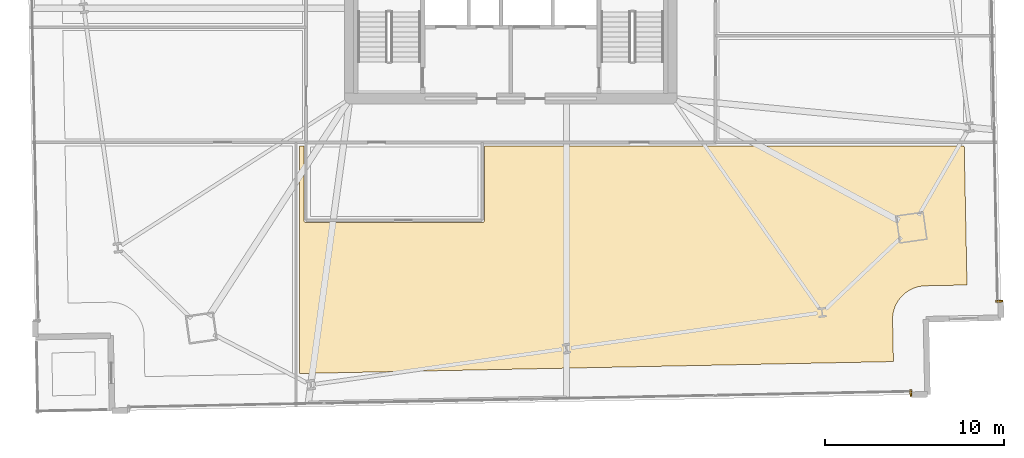
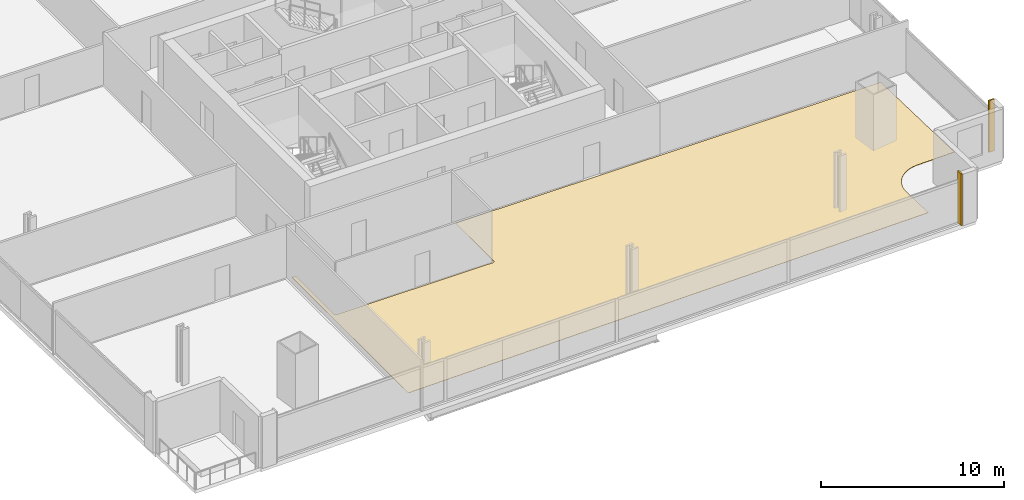
# One storey, part 33 of 35: 3 coverings.
"""IFC4 building model written with IfcOpenShell, lengths in metres."""

import ifcopenshell
import ifcopenshell.guid

model = None  # the IFC model being written
_history = None  # IfcOwnerHistory: only IFC2X3 demands one
_inside = {}  # id of a spatial element -> (the spatial element, [elements in it])
_under = {}  # id of a project, library or spatial element -> (it, [spatial elements below it])
_declared = {}  # id of a project -> (the project, [libraries it declares])
_typed = {}  # id of a type object -> (the type object, [elements of that type])
_made_of = {}  # id of a material, layer set ... -> (it, [elements and type objects made of it])


def new_model(schema):
    """Start an empty IFC model of exactly this schema.

    Asked for "IFC4X3", IfcOpenShell would pick the latest addendum, in which some entities
    have other attributes; the version numbers below select the first issue.
    IFC2X3 requires an IfcOwnerHistory on every rooted entity: one is made here for all.
    """
    global model, _history
    if schema == "IFC4X3":
        model = ifcopenshell.file(schema_version=(4, 3, 0, 0))
    else:
        model = ifcopenshell.file(schema=schema)
    _inside.clear()
    _under.clear()
    _declared.clear()
    _typed.clear()
    _made_of.clear()
    _history = None
    if model.schema == "IFC2X3":
        org = make("IfcOrganization", Name="unknown")
        user = make(
            "IfcPersonAndOrganization",
            ThePerson=make("IfcPerson", FamilyName="unknown"),
            TheOrganization=org,
        )
        app = make(
            "IfcApplication",
            ApplicationDeveloper=org,
            Version="unknown",
            ApplicationFullName="unknown",
            ApplicationIdentifier="unknown",
        )
        _history = make(
            "IfcOwnerHistory",
            OwningUser=user,
            OwningApplication=app,
            ChangeAction="ADDED",
            CreationDate=0,
        )
    return model


def make(cls, **values):
    """One entity of the class cls with the attributes given. An attribute that is None is left unset."""
    return model.create_entity(
        cls, **{name: value for name, value in values.items() if value is not None}
    )


def rooted(cls, **values):
    """An entity with a GlobalId (a new one), such as an element, a storey or a relation."""
    return make(cls, GlobalId=ifcopenshell.guid.new(), OwnerHistory=_history, **values)


def si_unit(unit_type, name, prefix=None):
    """IfcSIUnit, for example si_unit("LENGTHUNIT", "METRE", prefix="MILLI")."""
    return make("IfcSIUnit", UnitType=unit_type, Prefix=prefix, Name=name)


def assignment(units):
    """IfcUnitAssignment: the units of a project."""
    return None if units is None else make("IfcUnitAssignment", Units=units)


def point(xyz):
    """IfcCartesianPoint."""
    return None if xyz is None else make("IfcCartesianPoint", Coordinates=xyz)


def direction(xyz):
    """IfcDirection."""
    return None if xyz is None else make("IfcDirection", DirectionRatios=xyz)


def frame(location, z_axis=None, x_axis=None):
    """IfcAxis2Placement3D, a coordinate frame: its origin and axes. An axis left out is left unset."""
    return make(
        "IfcAxis2Placement3D",
        Location=point(location),
        Axis=direction(z_axis),
        RefDirection=direction(x_axis),
    )


def frame_2d(location, x_axis=None):
    """IfcAxis2Placement2D, a coordinate frame in the plane: its origin and x axis."""
    return make(
        "IfcAxis2Placement2D", Location=point(location), RefDirection=direction(x_axis)
    )


def origin():
    """The frame at (0, 0, 0) with its axes left unset."""
    return frame((0.0, 0.0, 0.0))


def origin_2d():
    """The frame at (0, 0) in the plane with its x axis left unset."""
    return frame_2d((0.0, 0.0))


def place(relative_to, where):
    """IfcLocalPlacement: puts the frame where relative to a parent placement (None: the world)."""
    return make(
        "IfcLocalPlacement", PlacementRelTo=relative_to, RelativePlacement=where
    )


def context(
    kind, dimensions, precision=None, world=None, true_north=None, identifier=None
):
    """IfcGeometricRepresentationContext, for example the 3D "Model" context."""
    return make(
        "IfcGeometricRepresentationContext",
        ContextIdentifier=identifier,
        ContextType=kind,
        CoordinateSpaceDimension=dimensions,
        Precision=precision,
        WorldCoordinateSystem=world,
        TrueNorth=true_north,
    )


def subcontext(parent, identifier, kind, view, scale=None):
    """IfcGeometricRepresentationSubContext, for example "Body" below "Model"."""
    return make(
        "IfcGeometricRepresentationSubContext",
        ContextIdentifier=identifier,
        ContextType=kind,
        ParentContext=parent,
        TargetScale=scale,
        TargetView=view,
    )


def project(units=None, contexts=None):
    """IfcProject with its units and contexts."""
    return rooted(
        "IfcProject",
        Name="project",
        RepresentationContexts=contexts,
        UnitsInContext=assignment(units),
    )


def spatial(cls, under=None, at=None, **own):
    """A site, building, storey or space (cls), placed at a placement, below another one or the project."""
    s = rooted(cls, ObjectPlacement=at, **own)
    if under is not None:
        _under.setdefault(under.id(), (under, []))[1].append(s)
    return s


def polyline(points):
    """IfcPolyline through the points."""
    return make("IfcPolyline", Points=[point(p) for p in points])


def profile(cls, at=None, kind="AREA", **sizes):
    """A parametric profile (cls). Its sizes go by their IFC names, for example OverallWidth=200.0."""
    return make(cls, ProfileType=kind, Position=at, **sizes)


def rectangle(**sizes):
    """IfcRectangleProfileDef."""
    return profile("IfcRectangleProfileDef", **sizes)


def outline(outer, holes=None, kind="AREA"):
    """IfcArbitraryClosedProfileDef: a profile drawn as a closed curve; with holes, ...WithVoids."""
    if holes is None:
        return make("IfcArbitraryClosedProfileDef", ProfileType=kind, OuterCurve=outer)
    return make(
        "IfcArbitraryProfileDefWithVoids",
        ProfileType=kind,
        OuterCurve=outer,
        InnerCurves=holes,
    )


def extrude(swept, where, along, depth):
    """IfcExtrudedAreaSolid: the profile swept, set in the frame where, extruded along a direction by depth."""
    return make(
        "IfcExtrudedAreaSolid",
        SweptArea=swept,
        Position=where,
        ExtrudedDirection=direction(along),
        Depth=depth,
    )


def shape(context_of_items, identifier, shape_type, items):
    """IfcShapeRepresentation: the items that make up one representation, for example the "Body"."""
    return make(
        "IfcShapeRepresentation",
        ContextOfItems=context_of_items,
        RepresentationIdentifier=identifier,
        RepresentationType=shape_type,
        Items=items,
    )


def source(mapping_origin, context_of_items, identifier, shape_type, items):
    """IfcRepresentationMap: a shape defined once, which mapped items show again and again."""
    return make(
        "IfcRepresentationMap",
        MappingOrigin=mapping_origin,
        MappedRepresentation=shape(context_of_items, identifier, shape_type, items),
    )


def transform(
    local_origin,
    x_axis=None,
    y_axis=None,
    z_axis=None,
    scale=None,
    scale2=None,
    scale3=None,
    uniform=True,
):
    """IfcCartesianTransformationOperator3D, or its non-uniform kind. x_axis, y_axis, z_axis: its Axis1, 2, 3."""
    if uniform:
        return make(
            "IfcCartesianTransformationOperator3D",
            Axis1=direction(x_axis),
            Axis2=direction(y_axis),
            LocalOrigin=point(local_origin),
            Scale=scale,
            Axis3=direction(z_axis),
        )
    return make(
        "IfcCartesianTransformationOperator3DnonUniform",
        Axis1=direction(x_axis),
        Axis2=direction(y_axis),
        LocalOrigin=point(local_origin),
        Scale=scale,
        Axis3=direction(z_axis),
        Scale2=scale2,
        Scale3=scale3,
    )


def mapped(mapping_source, mapping_target):
    """IfcMappedItem: shows the shape of a source again, moved by a transform."""
    return make(
        "IfcMappedItem", MappingSource=mapping_source, MappingTarget=mapping_target
    )


def material(Name=None, Category=None):
    """IfcMaterial."""
    return make("IfcMaterial", Name=Name, Category=Category)


def layer(
    of_material, thickness, ventilated=None, Name=None, Category=None, Priority=None
):
    """IfcMaterialLayer: one layer of a wall or slab, of a material (None: an air gap)."""
    return make(
        "IfcMaterialLayer",
        Material=of_material,
        LayerThickness=thickness,
        IsVentilated=ventilated,
        Name=Name,
        Category=Category,
        Priority=Priority,
    )


def layer_set(layers, Name=None):
    """IfcMaterialLayerSet."""
    return make("IfcMaterialLayerSet", MaterialLayers=layers, LayerSetName=Name)


def made_of(thing, what):
    """Note that an element or type object is made of a material, layer set ...; save() writes the relation."""
    if what is not None:
        _made_of.setdefault(what.id(), (what, []))[1].append(thing)
    return thing


def type_object(cls, material=None, **own):
    """A type object (cls), such as IfcWallType, which elements share."""
    return made_of(rooted(cls, **own), material)


def element(
    cls,
    number,
    at=None,
    inside=None,
    cuts=None,
    type_object=None,
    material=None,
    context=None,
    identifier="Body",
    shape_type=None,
    held_by="IfcProductDefinitionShape",
    body=None,
    shapes=None,
    **own,
):
    """One element of the class cls, such as IfcWall. Its Tag is "e" and its number.

    at: its placement. inside: the storey or other place that contains it. cuts: it is an
    opening in that element (IfcRelVoidsElement). A single representation is given by context,
    identifier, shape_type and body (its items); several are given by shapes. held_by: the class
    of the entity that holds the representations. save() writes the other relations.
    """
    e = rooted(cls, Tag="e%d" % number, ObjectPlacement=at, **own)
    if body is not None:
        shapes = [shape(context, identifier, shape_type, body)]
    if shapes is not None:
        e.Representation = make(held_by, Representations=shapes)
    if inside is not None:
        _inside.setdefault(inside.id(), (inside, []))[1].append(e)
    if cuts is not None:
        rooted(
            "IfcRelVoidsElement", RelatingBuildingElement=cuts, RelatedOpeningElement=e
        )
    if type_object is not None:
        _typed.setdefault(type_object.id(), (type_object, []))[1].append(e)
    return made_of(e, material)


def aggregate(whole, parts):
    """IfcRelAggregates: a whole, such as a stair, and the parts it consists of."""
    return rooted("IfcRelAggregates", RelatingObject=whole, RelatedObjects=parts)


def save(model, path):
    """Write the relations noted so far, then the file.

    IfcRelAggregates (storeys below a building ...), IfcRelContainedInSpatialStructure (elements
    in a storey), IfcRelDefinesByType, IfcRelAssociatesMaterial and IfcRelDeclares: one each for
    every whole, place, type object, material and project.
    """
    for whole, parts in _under.values():
        aggregate(whole, parts)
    for where, things in _inside.values():
        rooted(
            "IfcRelContainedInSpatialStructure",
            RelatedElements=things,
            RelatingStructure=where,
        )
    for kind, things in _typed.values():
        rooted("IfcRelDefinesByType", RelatedObjects=things, RelatingType=kind)
    for what, things in _made_of.values():
        rooted("IfcRelAssociatesMaterial", RelatedObjects=things, RelatingMaterial=what)
    for by, libraries in _declared.values():
        rooted("IfcRelDeclares", RelatingContext=by, RelatedDefinitions=libraries)
    model.write(path)


model = new_model("IFC4")

# Units and contexts
model_context = context("Model", 3, precision=1e-05, world=origin(), true_north=direction((0.0, 1.0)))
body_context = subcontext(model_context, "Body", "Model", "MODEL_VIEW")
ifc_project = project(units=[si_unit("LENGTHUNIT", "METRE"), si_unit("AREAUNIT", "SQUARE_METRE"), si_unit("VOLUMEUNIT", "CUBIC_METRE"), si_unit("PLANEANGLEUNIT", "RADIAN"), si_unit("MASSUNIT", "GRAM", prefix="KILO")], contexts=[model_context])

# Site, building, storey
site_placement = place(None, origin())
site = spatial("IfcSite", under=ifc_project, at=site_placement, CompositionType="ELEMENT")
building_placement = place(site_placement, origin())
building = spatial("IfcBuilding", under=site, at=building_placement, Name="Haldenkirk Collegiate Tower", CompositionType="ELEMENT")
storey_placement = place(building_placement, frame((0.0, 0.0, 32.699951171875)))
storey = spatial("IfcBuildingStorey", under=building, at=storey_placement, Name="L06", CompositionType="ELEMENT", Elevation=32.699951171875)

# Coverings
ifc_material_1 = material(Name="Engineered collegiate oak acoustic flooring", Category="wood")
ifc_layer_1 = layer(ifc_material_1, 0.02197265625)
ifc_layer_set_1 = layer_set([ifc_layer_1], Name="Engineered collegiate oak acoustic flooring")
covering_type_1 = type_object("IfcCoveringType", Name="COV-FLOOR-TIMBER", PredefinedType="FLOORING", material=ifc_layer_set_1)
covering_placement = place(storey_placement, origin())
element("IfcCovering", 1, at=covering_placement, inside=storey, type_object=covering_type_1, Name="L06 academic room finish 03", PredefinedType="FLOORING", context=body_context, shape_type="SweptSolid", body=[
    extrude(outline(polyline([(24.43994140625, 11.179931640625), (24.440673828125, 11.168212890625), (24.4423828125, 11.156494140625), (24.4453125, 11.145263671875), (24.44921875, 11.134033203125), (24.4541015625, 11.123291015625), (24.460205078125, 11.11328125), (24.46728515625, 11.10400390625), (24.47509765625, 11.09521484375), (24.48388671875, 11.087158203125), (24.493408203125, 11.080078125), (24.50341796875, 11.07421875), (24.51416015625, 11.069091796875), (24.525146484375, 11.065185546875), (24.53662109375, 11.062255859375), (24.548095703125, 11.060546875), (24.56005859375, 11.06005859375), (34.39990234375, 11.06005859375), (34.411865234375, 11.060546875), (34.42333984375, 11.062255859375), (34.434814453125, 11.065185546875), (34.44580078125, 11.069091796875), (34.45654296875, 11.07421875), (34.466796875, 11.080078125), (34.47607421875, 11.087158203125), (34.48486328125, 11.09521484375), (34.492919921875, 11.10400390625), (34.499755859375, 11.11328125), (34.505859375, 11.123291015625), (34.510986328125, 11.134033203125), (34.514892578125, 11.145263671875), (34.517578125, 11.156494140625), (34.519287109375, 11.168212890625), (34.52001953125, 11.179931640625), (34.52001953125, 15.35009765625), (61.348876953125, 15.35009765625), (61.5048828125, 7.578125), (59.17529296875, 7.531494140625), (59.169677734375, 7.531005859375), (58.998291015625, 7.519287109375), (58.986328125, 7.517822265625), (58.817138671875, 7.4892578125), (58.8056640625, 7.48681640625), (58.639892578125, 7.441650390625), (58.628662109375, 7.43798828125), (58.46826171875, 7.376953125), (58.45751953125, 7.372314453125), (58.3037109375, 7.295654296875), (58.29345703125, 7.2900390625), (58.14794921875, 7.19873046875), (58.13818359375, 7.19189453125), (58.00244140625, 7.0869140625), (57.993408203125, 7.079345703125), (57.86865234375, 6.96142578125), (57.8603515625, 6.952880859375), (57.74755859375, 6.823486328125), (57.740234375, 6.814208984375), (57.640869140625, 6.674072265625), (57.634521484375, 6.664306640625), (57.54931640625, 6.51513671875), (57.543701171875, 6.504638671875), (57.473388671875, 6.347900390625), (57.46923828125, 6.337158203125), (57.41455078125, 6.17431640625), (57.411376953125, 6.162841796875), (57.373046875, 5.99560546875), (57.37109375, 5.98388671875), (57.34912109375, 5.8134765625), (57.34814453125, 5.8017578125), (57.34326171875, 5.630126953125), (57.34326171875, 5.624267578125), (57.389892578125, 3.294677734375), (24.199951171875, 2.62841796875), (24.199951171875, 15.35009765625), (24.43994140625, 15.35009765625), (24.43994140625, 11.179931640625)])), origin(), (0.0, 0.0, 1.0), 0.02197265625),
])
ifc_material_2 = material(Name="Anodised architectural bronze aluminium", Category="aluminium")
ifc_layer_2 = layer(ifc_material_2, 0.06005859375)
ifc_layer_set_2 = layer_set([ifc_layer_2], Name="Anodised architectural bronze aluminium")
covering_type_2 = type_object("IfcCoveringType", Name="COV-CLAD-BRONZE-60", PredefinedType="CLADDING", material=ifc_layer_set_2)
shared_shape = source(origin(), body_context, "Body", "SweptSolid", [
    extrude(rectangle(XDim=0.10009765625, YDim=0.3798828125, at=origin_2d()), origin(), (0.0, 0.0, 1.0), 3.43994140625),
])
for number, where, z_axis, x_axis, name in (
    (2, (58.365478515625, 1.533935546875, 0.0), (0.0, 0.0, 1.0), (-0.999798578493, -0.020069938784, 0.0), "L06 recessed curtain-wall bronze jamb closure SJL"),
    (3, (63.30322265625, 6.674072265625, 0.0), (0.0, 0.0, 1.0), (0.020069938784, -0.999798578493, 0.0), "L06 recessed curtain-wall bronze jamb closure EJR"),
):
    element("IfcCovering", number, at=place(storey_placement, frame(where, z_axis=z_axis, x_axis=x_axis)), inside=storey, type_object=covering_type_2, Name=name, PredefinedType="CLADDING", context=body_context, shape_type="MappedRepresentation", body=[
        mapped(shared_shape, transform((0.0, 0.0, 0.0), x_axis=(1.0, 0.0, 0.0), y_axis=(0.0, 1.0, 0.0), z_axis=(0.0, 0.0, 1.0), scale=1.0)),
    ])

save(model, "model.ifc")
